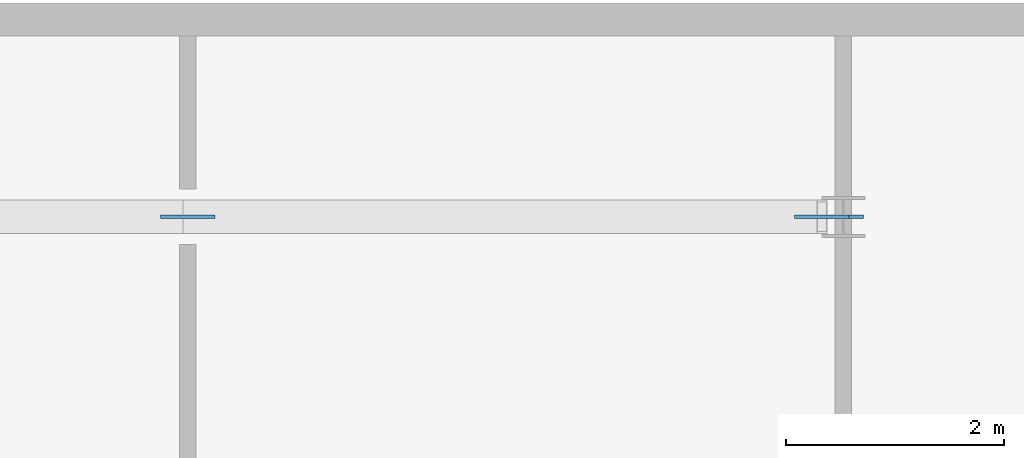
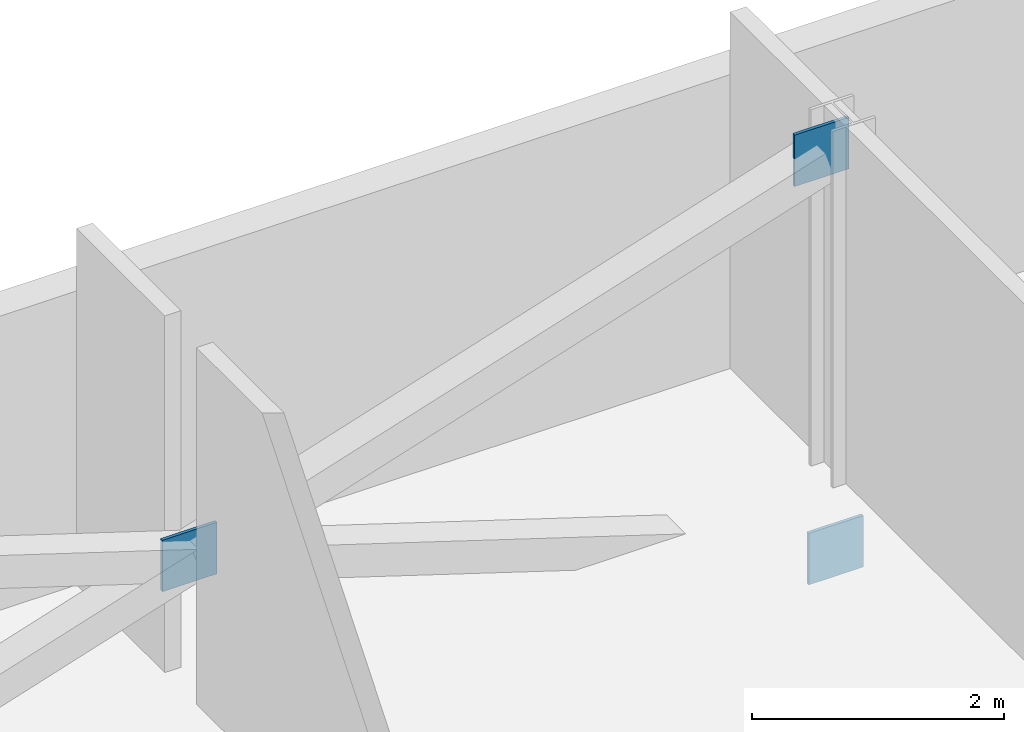
# One storey, part 22 of 30: 3 discrete accessories.
"""IFC4 building model written with IfcOpenShell, lengths in metres."""

from ifc_helpers import new_model, si_unit, direction, frame, origin, origin_2d, place, context, subcontext, project, spatial, rectangle, extrude, material, layer, layer_set, type_object, element, save


model = new_model("IFC4")

# Units and contexts
model_context = context("Model", 3, precision=1e-05, world=origin(), true_north=direction((0.0, 1.0)))
body_context = subcontext(model_context, "Body", "Model", "MODEL_VIEW")
ifc_project = project(units=[si_unit("LENGTHUNIT", "METRE"), si_unit("AREAUNIT", "SQUARE_METRE"), si_unit("VOLUMEUNIT", "CUBIC_METRE"), si_unit("PLANEANGLEUNIT", "RADIAN"), si_unit("MASSUNIT", "GRAM", prefix="KILO")], contexts=[model_context])

# Site, building, storey
site_placement = place(None, origin())
site = spatial("IfcSite", under=ifc_project, at=site_placement, CompositionType="ELEMENT")
building_placement = place(site_placement, origin())
building = spatial("IfcBuilding", under=site, at=building_placement, Name="Mahtab Terrace Research Tower", CompositionType="ELEMENT")
storey_placement = place(building_placement, frame((0.0, 0.0, 263.300048828125)))
storey = spatial("IfcBuildingStorey", under=building, at=storey_placement, Name="L64", CompositionType="ELEMENT", Elevation=263.300048828125)

# Discrete accessories
ifc_material = material(Name="Steel ASTM A992 Gr 50", Category="steel")
ifc_layer = layer(ifc_material, 0.030029296875)
ifc_layer_set = layer_set([ifc_layer], Name="Gusset plate 500x500x30")
discrete_accessory_type = type_object("IfcDiscreteAccessoryType", Name="Gusset plate 500x500x30", PredefinedType="USERDEFINED", material=ifc_layer_set)
for number, where, z_axis, x_axis, name in (
    (1, (0.0, 24.306884765625, 1.00634765625), (0.0, 0.0, 1.0), (1.0, 0.0, 0.0), "Gusset plate"),
    (2, (5.934326171875, 24.306884765625, -1.004150390625), (0.0, 0.0, 1.0), (1.0, 0.0, 0.0), "Gusset plate"),
    (3, (5.802978515625, 24.306884765625, 2.906494140625), (0.0, 0.0, 1.0), (1.0, 0.0, 0.0), "Gusset plate"),
):
    element("IfcDiscreteAccessory", number, at=place(storey_placement, frame(where, z_axis=z_axis, x_axis=x_axis)), inside=storey, type_object=discrete_accessory_type, Name=name, ObjectType="GUSSET PLATE", PredefinedType="USERDEFINED", context=body_context, shape_type="SweptSolid", body=[
        extrude(rectangle(XDim=0.5, YDim=0.030029296875, at=origin_2d()), origin(), (0.0, 0.0, 1.0), 0.5),
    ])

save(model, "model.ifc")
